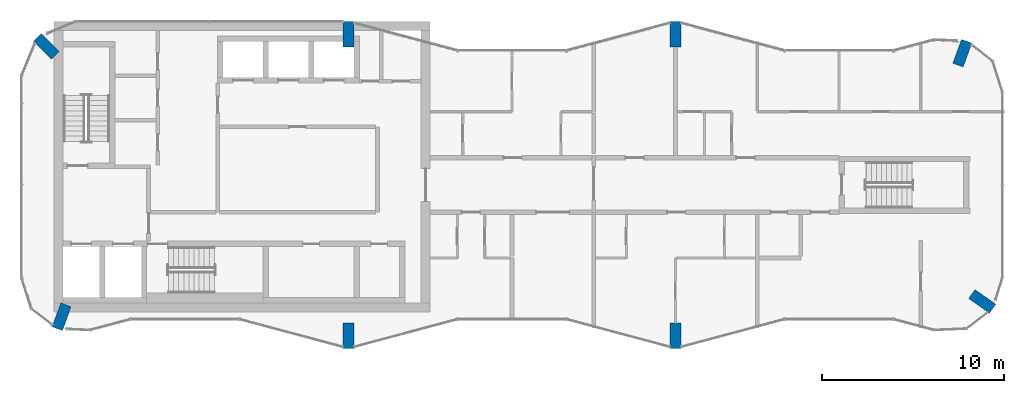
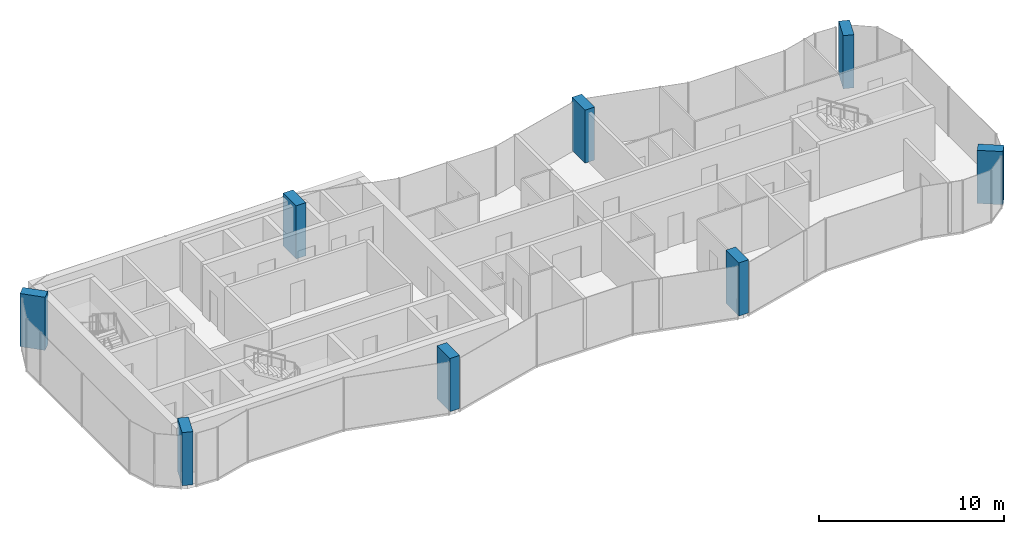
# One storey, part 1 of 10: 8 columns.
"""IFC4 building model written with IfcOpenShell, lengths in metres."""

import ifcopenshell
import ifcopenshell.guid

model = None  # the IFC model being written
_history = None  # IfcOwnerHistory: only IFC2X3 demands one
_inside = {}  # id of a spatial element -> (the spatial element, [elements in it])
_under = {}  # id of a project, library or spatial element -> (it, [spatial elements below it])
_declared = {}  # id of a project -> (the project, [libraries it declares])
_typed = {}  # id of a type object -> (the type object, [elements of that type])
_made_of = {}  # id of a material, layer set ... -> (it, [elements and type objects made of it])


def new_model(schema):
    """Start an empty IFC model of exactly this schema.

    Asked for "IFC4X3", IfcOpenShell would pick the latest addendum, in which some entities
    have other attributes; the version numbers below select the first issue.
    IFC2X3 requires an IfcOwnerHistory on every rooted entity: one is made here for all.
    """
    global model, _history
    if schema == "IFC4X3":
        model = ifcopenshell.file(schema_version=(4, 3, 0, 0))
    else:
        model = ifcopenshell.file(schema=schema)
    _inside.clear()
    _under.clear()
    _declared.clear()
    _typed.clear()
    _made_of.clear()
    _history = None
    if model.schema == "IFC2X3":
        org = make("IfcOrganization", Name="unknown")
        user = make(
            "IfcPersonAndOrganization",
            ThePerson=make("IfcPerson", FamilyName="unknown"),
            TheOrganization=org,
        )
        app = make(
            "IfcApplication",
            ApplicationDeveloper=org,
            Version="unknown",
            ApplicationFullName="unknown",
            ApplicationIdentifier="unknown",
        )
        _history = make(
            "IfcOwnerHistory",
            OwningUser=user,
            OwningApplication=app,
            ChangeAction="ADDED",
            CreationDate=0,
        )
    return model


def make(cls, **values):
    """One entity of the class cls with the attributes given. An attribute that is None is left unset."""
    return model.create_entity(
        cls, **{name: value for name, value in values.items() if value is not None}
    )


def rooted(cls, **values):
    """An entity with a GlobalId (a new one), such as an element, a storey or a relation."""
    return make(cls, GlobalId=ifcopenshell.guid.new(), OwnerHistory=_history, **values)


def si_unit(unit_type, name, prefix=None):
    """IfcSIUnit, for example si_unit("LENGTHUNIT", "METRE", prefix="MILLI")."""
    return make("IfcSIUnit", UnitType=unit_type, Prefix=prefix, Name=name)


def assignment(units):
    """IfcUnitAssignment: the units of a project."""
    return None if units is None else make("IfcUnitAssignment", Units=units)


def point(xyz):
    """IfcCartesianPoint."""
    return None if xyz is None else make("IfcCartesianPoint", Coordinates=xyz)


def direction(xyz):
    """IfcDirection."""
    return None if xyz is None else make("IfcDirection", DirectionRatios=xyz)


def frame(location, z_axis=None, x_axis=None):
    """IfcAxis2Placement3D, a coordinate frame: its origin and axes. An axis left out is left unset."""
    return make(
        "IfcAxis2Placement3D",
        Location=point(location),
        Axis=direction(z_axis),
        RefDirection=direction(x_axis),
    )


def frame_2d(location, x_axis=None):
    """IfcAxis2Placement2D, a coordinate frame in the plane: its origin and x axis."""
    return make(
        "IfcAxis2Placement2D", Location=point(location), RefDirection=direction(x_axis)
    )


def origin():
    """The frame at (0, 0, 0) with its axes left unset."""
    return frame((0.0, 0.0, 0.0))


def origin_2d():
    """The frame at (0, 0) in the plane with its x axis left unset."""
    return frame_2d((0.0, 0.0))


def place(relative_to, where):
    """IfcLocalPlacement: puts the frame where relative to a parent placement (None: the world)."""
    return make(
        "IfcLocalPlacement", PlacementRelTo=relative_to, RelativePlacement=where
    )


def context(
    kind, dimensions, precision=None, world=None, true_north=None, identifier=None
):
    """IfcGeometricRepresentationContext, for example the 3D "Model" context."""
    return make(
        "IfcGeometricRepresentationContext",
        ContextIdentifier=identifier,
        ContextType=kind,
        CoordinateSpaceDimension=dimensions,
        Precision=precision,
        WorldCoordinateSystem=world,
        TrueNorth=true_north,
    )


def subcontext(parent, identifier, kind, view, scale=None):
    """IfcGeometricRepresentationSubContext, for example "Body" below "Model"."""
    return make(
        "IfcGeometricRepresentationSubContext",
        ContextIdentifier=identifier,
        ContextType=kind,
        ParentContext=parent,
        TargetScale=scale,
        TargetView=view,
    )


def project(units=None, contexts=None):
    """IfcProject with its units and contexts."""
    return rooted(
        "IfcProject",
        Name="project",
        RepresentationContexts=contexts,
        UnitsInContext=assignment(units),
    )


def spatial(cls, under=None, at=None, **own):
    """A site, building, storey or space (cls), placed at a placement, below another one or the project."""
    s = rooted(cls, ObjectPlacement=at, **own)
    if under is not None:
        _under.setdefault(under.id(), (under, []))[1].append(s)
    return s


def profile(cls, at=None, kind="AREA", **sizes):
    """A parametric profile (cls). Its sizes go by their IFC names, for example OverallWidth=200.0."""
    return make(cls, ProfileType=kind, Position=at, **sizes)


def rectangle(**sizes):
    """IfcRectangleProfileDef."""
    return profile("IfcRectangleProfileDef", **sizes)


def extrude(swept, where, along, depth):
    """IfcExtrudedAreaSolid: the profile swept, set in the frame where, extruded along a direction by depth."""
    return make(
        "IfcExtrudedAreaSolid",
        SweptArea=swept,
        Position=where,
        ExtrudedDirection=direction(along),
        Depth=depth,
    )


def shape(context_of_items, identifier, shape_type, items):
    """IfcShapeRepresentation: the items that make up one representation, for example the "Body"."""
    return make(
        "IfcShapeRepresentation",
        ContextOfItems=context_of_items,
        RepresentationIdentifier=identifier,
        RepresentationType=shape_type,
        Items=items,
    )


def material(Name=None, Category=None):
    """IfcMaterial."""
    return make("IfcMaterial", Name=Name, Category=Category)


def material_profile(
    of_material, cross_section, Name=None, Category=None, Priority=None
):
    """IfcMaterialProfile: a cross section and its material."""
    return make(
        "IfcMaterialProfile",
        Name=Name,
        Material=of_material,
        Profile=cross_section,
        Priority=Priority,
        Category=Category,
    )


def profile_set(profiles, Name=None, composite=None):
    """IfcMaterialProfileSet."""
    return make(
        "IfcMaterialProfileSet",
        Name=Name,
        MaterialProfiles=profiles,
        CompositeProfile=composite,
    )


def made_of(thing, what):
    """Note that an element or type object is made of a material, layer set ...; save() writes the relation."""
    if what is not None:
        _made_of.setdefault(what.id(), (what, []))[1].append(thing)
    return thing


def type_object(cls, material=None, **own):
    """A type object (cls), such as IfcWallType, which elements share."""
    return made_of(rooted(cls, **own), material)


def element(
    cls,
    number,
    at=None,
    inside=None,
    cuts=None,
    type_object=None,
    material=None,
    context=None,
    identifier="Body",
    shape_type=None,
    held_by="IfcProductDefinitionShape",
    body=None,
    shapes=None,
    **own,
):
    """One element of the class cls, such as IfcWall. Its Tag is "e" and its number.

    at: its placement. inside: the storey or other place that contains it. cuts: it is an
    opening in that element (IfcRelVoidsElement). A single representation is given by context,
    identifier, shape_type and body (its items); several are given by shapes. held_by: the class
    of the entity that holds the representations. save() writes the other relations.
    """
    e = rooted(cls, Tag="e%d" % number, ObjectPlacement=at, **own)
    if body is not None:
        shapes = [shape(context, identifier, shape_type, body)]
    if shapes is not None:
        e.Representation = make(held_by, Representations=shapes)
    if inside is not None:
        _inside.setdefault(inside.id(), (inside, []))[1].append(e)
    if cuts is not None:
        rooted(
            "IfcRelVoidsElement", RelatingBuildingElement=cuts, RelatedOpeningElement=e
        )
    if type_object is not None:
        _typed.setdefault(type_object.id(), (type_object, []))[1].append(e)
    return made_of(e, material)


def aggregate(whole, parts):
    """IfcRelAggregates: a whole, such as a stair, and the parts it consists of."""
    return rooted("IfcRelAggregates", RelatingObject=whole, RelatedObjects=parts)


def save(model, path):
    """Write the relations noted so far, then the file.

    IfcRelAggregates (storeys below a building ...), IfcRelContainedInSpatialStructure (elements
    in a storey), IfcRelDefinesByType, IfcRelAssociatesMaterial and IfcRelDeclares: one each for
    every whole, place, type object, material and project.
    """
    for whole, parts in _under.values():
        aggregate(whole, parts)
    for where, things in _inside.values():
        rooted(
            "IfcRelContainedInSpatialStructure",
            RelatedElements=things,
            RelatingStructure=where,
        )
    for kind, things in _typed.values():
        rooted("IfcRelDefinesByType", RelatedObjects=things, RelatingType=kind)
    for what, things in _made_of.values():
        rooted("IfcRelAssociatesMaterial", RelatedObjects=things, RelatingMaterial=what)
    for by, libraries in _declared.values():
        rooted("IfcRelDeclares", RelatingContext=by, RelatedDefinitions=libraries)
    model.write(path)


model = new_model("IFC4")

# Units and contexts
model_context = context("Model", 3, precision=1e-05, world=origin(), true_north=direction((0.0, 1.0)))
body_context = subcontext(model_context, "Body", "Model", "MODEL_VIEW")
ifc_project = project(units=[si_unit("LENGTHUNIT", "METRE"), si_unit("AREAUNIT", "SQUARE_METRE"), si_unit("VOLUMEUNIT", "CUBIC_METRE"), si_unit("PLANEANGLEUNIT", "RADIAN"), si_unit("MASSUNIT", "GRAM", prefix="KILO")], contexts=[model_context])

# Site, building, storey
site_placement = place(None, origin())
site = spatial("IfcSite", under=ifc_project, at=site_placement, CompositionType="ELEMENT")
building_placement = place(site_placement, origin())
building = spatial("IfcBuilding", under=site, at=building_placement, Name="Plateau Cross Towers", CompositionType="ELEMENT")
storey_placement = place(building_placement, frame((0.0, 0.0, 245.89990234375)))
storey = spatial("IfcBuildingStorey", under=building, at=storey_placement, Name="L64", CompositionType="ELEMENT", Elevation=245.89990234375)

# Columns
ifc_material = material(Name="Concrete C60/75", Category="concrete")
ifc_material_profile = material_profile(ifc_material, rectangle(XDim=0.60009765625, YDim=1.39990234375, at=origin_2d()), Name="RC 600x1400")
ifc_profile_set = profile_set([ifc_material_profile], Name="Concrete C60/75")
column_type = type_object("IfcColumnType", Name="Fin pier column RC 600x1400", PredefinedType="COLUMN", material=ifc_profile_set)
for number, where, z_axis, x_axis, name in (
    (1, (18.0, 0.699951171875, 0.0), (0.0, 0.0, 1.0), (1.0, 0.0, 0.0), "PR1 L64"),
    (2, (36.0, 0.699951171875, 0.0), (0.0, 0.0, 1.0), (1.0, 0.0, 0.0), "PR2 L64"),
    (3, (52.884033203125, 2.590087890625, 0.0), (0.0, 0.0, 1.0), (0.573542637991, 0.819175709117, 0.0), "PR3 L64"),
    (4, (51.786865234375, 16.251953125, 0.0), (0.0, 0.0, 1.0), (-0.939664280925, 0.342097996418, 0.0), "PR4 L64"),
    (5, (36.0, 17.300048828125, 0.0), (0.0, 0.0, 1.0), (1.0, 0.0, 0.0), "PR5 L64"),
    (6, (18.0, 17.300048828125, 0.0), (0.0, 0.0, 1.0), (1.0, 0.0, 0.0), "PR13 L64"),
    (7, (1.37353515625, 16.62646484375, 0.0), (0.0, 0.0, 1.0), (0.707106781187, 0.707106781187, 0.0), "PR14 L64"),
    (8, (2.213134765625, 1.748046875, 0.0), (0.0, 0.0, 1.0), (-0.939664280925, 0.342097996418, 0.0), "PR12 L64"),
):
    element("IfcColumn", number, at=place(storey_placement, frame(where, z_axis=z_axis, x_axis=x_axis)), inside=storey, type_object=column_type, Name=name, PredefinedType="COLUMN", context=body_context, shape_type="SweptSolid", body=[
        extrude(rectangle(XDim=0.60009765625, YDim=1.39990234375, at=origin_2d()), origin(), (0.0, 0.0, 1.0), 3.5),
    ])

save(model, "model.ifc")
